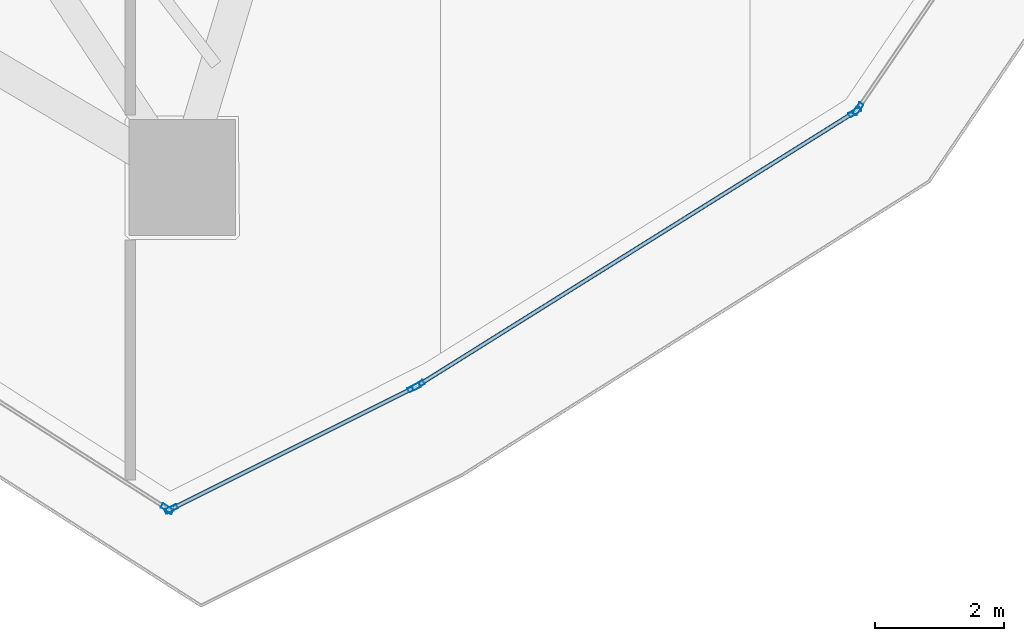
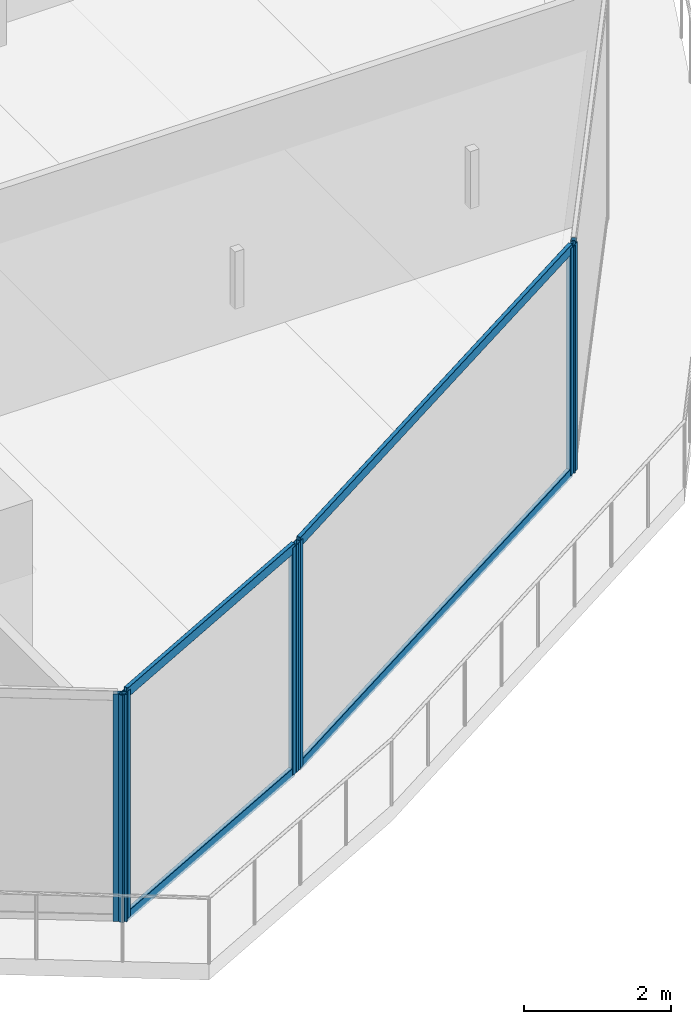
# One storey, part 10 of 36: 10 members, 4 elements without a shape of their own.
"""IFC4 building model written with IfcOpenShell, lengths in metres."""

from ifc_helpers import new_model, si_unit, direction, frame, origin, origin_2d, place, context, subcontext, project, spatial, hollow_rectangle, extrude, material, layer, layer_set, material_profile, profile_set, type_object, element, aggregate, save


model = new_model("IFC4")

# Units and contexts
model_context = context("Model", 3, precision=1e-05, world=origin(), true_north=direction((0.0, 1.0)))
body_context = subcontext(model_context, "Body", "Model", "MODEL_VIEW")
ifc_project = project(units=[si_unit("LENGTHUNIT", "METRE"), si_unit("AREAUNIT", "SQUARE_METRE"), si_unit("VOLUMEUNIT", "CUBIC_METRE"), si_unit("PLANEANGLEUNIT", "RADIAN"), si_unit("MASSUNIT", "GRAM", prefix="KILO")], contexts=[model_context])

# Site, building, storey
site_placement = place(None, origin())
site = spatial("IfcSite", under=ifc_project, at=site_placement, CompositionType="ELEMENT")
building_placement = place(site_placement, origin())
building = spatial("IfcBuilding", under=site, at=building_placement, Name="Qorvath Tower", CompositionType="ELEMENT")
storey_placement = place(building_placement, frame((0.0, 0.0, 229.35009765625)))
storey = spatial("IfcBuildingStorey", under=building, at=storey_placement, Name="L53", CompositionType="ELEMENT", Elevation=229.35009765625)

# Curtain wall, member
ifc_material_1 = material(Name="Anodised aluminium and triple low-E glass", Category="aluminium")
ifc_layer = layer(ifc_material_1, 0.179931640625)
ifc_layer_set = layer_set([ifc_layer], Name="CW-SYS-5")
curtain_wall_type = type_object("IfcCurtainWallType", Name="CW-SYS-5", PredefinedType="NOTDEFINED", material=ifc_layer_set)
curtain_wall_1_placement = place(storey_placement, origin())
curtain_wall_1 = element("IfcCurtainWall", 1, at=curtain_wall_1_placement, inside=storey, type_object=curtain_wall_type, Name="Curtain Wall CW-5 CW-T-L53-4.1", PredefinedType="NOTDEFINED")
ifc_material_2 = material(Name="Anodised aluminium 6063-T6", Category="aluminium")
ifc_material_profile_1 = material_profile(ifc_material_2, hollow_rectangle(XDim=0.074951171875, YDim=0.199951171875, WallThickness=0.00390625, InnerFilletRadius=0.00390625, OuterFilletRadius=0.008056640625, at=origin_2d()), Name="CWM 200x75")
ifc_profile_set_1 = profile_set([ifc_material_profile_1], Name="Anodised aluminium 6063-T6")
member_type_1 = type_object("IfcMemberType", Name="CWM-200", PredefinedType="MULLION", material=ifc_profile_set_1)
member_1_placement = place(storey_placement, frame((-17.106689453125, -26.754638671875, 0.0), z_axis=(0.0, 0.0, 1.0), x_axis=(0.538529366974, 0.84260674155, 0.0)))
member_1 = element("IfcMember", 2, at=member_1_placement, type_object=member_type_1, Name="CW-5 mullion 8", PredefinedType="MULLION", context=body_context, shape_type="SweptSolid", body=[
    extrude(hollow_rectangle(XDim=0.074951171875, YDim=0.199951171875, WallThickness=0.00390625, InnerFilletRadius=0.00390625, OuterFilletRadius=0.008056640625, at=origin_2d()), origin(), (0.0, 0.0, 1.0), 3.77978515625),
])
aggregate(curtain_wall_1, [member_1])

# Curtain wall, members
curtain_wall_2_placement = place(storey_placement, origin())
curtain_wall_2 = element("IfcCurtainWall", 3, at=curtain_wall_2_placement, inside=storey, type_object=curtain_wall_type, Name="Curtain Wall CW-5 CW-T-L53-5.1", PredefinedType="NOTDEFINED")
member_2_placement = place(storey_placement, frame((-17.04150390625, -26.758056640625, 0.0), z_axis=(0.0, 0.0, 1.0), x_axis=(-0.447232302186, 0.894417837412, 0.0)))
member_2 = element("IfcMember", 4, at=member_2_placement, type_object=member_type_1, Name="CW-5 mullion 1", PredefinedType="MULLION", context=body_context, shape_type="SweptSolid", body=[
    extrude(hollow_rectangle(XDim=0.074951171875, YDim=0.199951171875, WallThickness=0.00390625, InnerFilletRadius=0.00390625, OuterFilletRadius=0.008056640625, at=origin_2d()), origin(), (0.0, 0.0, 1.0), 3.77978515625),
])
member_3_placement = place(storey_placement, frame((-13.283447265625, -24.879150390625, 0.0), z_axis=(0.0, 0.0, 1.0), x_axis=(-0.447232302186, 0.894417837412, 0.0)))
member_3 = element("IfcMember", 5, at=member_3_placement, type_object=member_type_1, Name="CW-5 mullion 2", PredefinedType="MULLION", context=body_context, shape_type="SweptSolid", body=[
    extrude(hollow_rectangle(XDim=0.074951171875, YDim=0.199951171875, WallThickness=0.00390625, InnerFilletRadius=0.00390625, OuterFilletRadius=0.008056640625, at=origin_2d()), origin(), (0.0, 0.0, 1.0), 3.77978515625),
])

curtain_wall_3_placement = place(storey_placement, origin())
curtain_wall_3 = element("IfcCurtainWall", 6, at=curtain_wall_3_placement, inside=storey, type_object=curtain_wall_type, Name="Curtain Wall CW-5 CW-T-L53-6.1", PredefinedType="NOTDEFINED")
member_4_placement = place(storey_placement, frame((-13.21826171875, -24.84228515625, 0.0), z_axis=(0.0, 0.0, 1.0), x_axis=(-0.530545314822, 0.84765657487, 0.0)))
member_4 = element("IfcMember", 7, at=member_4_placement, type_object=member_type_1, Name="CW-5 mullion 1", PredefinedType="MULLION", context=body_context, shape_type="SweptSolid", body=[
    extrude(hollow_rectangle(XDim=0.074951171875, YDim=0.199951171875, WallThickness=0.00390625, InnerFilletRadius=0.00390625, OuterFilletRadius=0.008056640625, at=origin_2d()), origin(), (0.0, 0.0, 1.0), 3.77978515625),
])
member_5_placement = place(storey_placement, frame((-6.4638671875, -20.614990234375, 0.0), z_axis=(0.0, 0.0, 1.0), x_axis=(-0.530545314822, 0.84765657487, 0.0)))
member_5 = element("IfcMember", 8, at=member_5_placement, type_object=member_type_1, Name="CW-5 mullion 2", PredefinedType="MULLION", context=body_context, shape_type="SweptSolid", body=[
    extrude(hollow_rectangle(XDim=0.074951171875, YDim=0.199951171875, WallThickness=0.00390625, InnerFilletRadius=0.00390625, OuterFilletRadius=0.008056640625, at=origin_2d()), origin(), (0.0, 0.0, 1.0), 3.77978515625),
])

# Curtain wall, member
curtain_wall_4_placement = place(storey_placement, origin())
curtain_wall_4 = element("IfcCurtainWall", 9, at=curtain_wall_4_placement, inside=storey, type_object=curtain_wall_type, Name="Curtain Wall CW-5 CW-T-L53-7.1", PredefinedType="NOTDEFINED")
member_6_placement = place(storey_placement, frame((-6.410888671875, -20.56396484375, 0.0), z_axis=(0.0, 0.0, 1.0), x_axis=(-0.826490619847, 0.56295049099, 0.0)))
member_6 = element("IfcMember", 10, at=member_6_placement, type_object=member_type_1, Name="CW-5 mullion 1", PredefinedType="MULLION", context=body_context, shape_type="SweptSolid", body=[
    extrude(hollow_rectangle(XDim=0.074951171875, YDim=0.199951171875, WallThickness=0.00390625, InnerFilletRadius=0.00390625, OuterFilletRadius=0.008056640625, at=origin_2d()), origin(), (0.0, 0.0, 1.0), 3.77978515625),
])
aggregate(curtain_wall_4, [member_6])

# Member
ifc_material_3 = material(Name="Anodised aluminium 6063-T6", Category="aluminium")
ifc_material_profile_2 = material_profile(ifc_material_3, hollow_rectangle(XDim=0.06494140625, YDim=0.159912109375, WallThickness=0.00341796875, InnerFilletRadius=0.00341796875, OuterFilletRadius=0.007080078125, at=origin_2d()), Name="CWT 160x65")
ifc_profile_set_2 = profile_set([ifc_material_profile_2], Name="Anodised aluminium 6063-T6")
member_type_2 = type_object("IfcMemberType", Name="CWT-160", PredefinedType="USERDEFINED", material=ifc_profile_set_2)
member_7_placement = place(storey_placement, frame((-17.0078125, -26.741455078125, 0.032470703125), z_axis=(0.894391689405, 0.447284591645, 0.0), x_axis=(-0.447284591645, 0.894391689405, 0.0)))
member_7 = element("IfcMember", 11, at=member_7_placement, type_object=member_type_2, Name="CW-5 transom 1.1", ObjectType="TRANSOM", PredefinedType="USERDEFINED", context=body_context, shape_type="SweptSolid", body=[
    extrude(hollow_rectangle(XDim=0.06494140625, YDim=0.159912109375, WallThickness=0.00341796875, InnerFilletRadius=0.00341796875, OuterFilletRadius=0.007080078125, at=origin_2d()), origin(), (0.0, 0.0, 1.0), 4.12646484375),
])

member_8_placement = place(storey_placement, frame((-17.0078125, -26.741455078125, 3.747314453125), z_axis=(0.894391689405, 0.447284591645, 0.0), x_axis=(-0.447284591645, 0.894391689405, 0.0)))
member_8 = element("IfcMember", 12, at=member_8_placement, type_object=member_type_2, Name="CW-5 transom 1.2", ObjectType="TRANSOM", PredefinedType="USERDEFINED", context=body_context, shape_type="SweptSolid", body=[
    extrude(hollow_rectangle(XDim=0.06494140625, YDim=0.159912109375, WallThickness=0.00341796875, InnerFilletRadius=0.00341796875, OuterFilletRadius=0.007080078125, at=origin_2d()), origin(), (0.0, 0.0, 1.0), 4.12646484375),
])

aggregate(curtain_wall_2, [member_2, member_3, member_7, member_8])

member_9_placement = place(storey_placement, frame((-13.1865234375, -24.822509765625, 0.032470703125), z_axis=(0.847661032835, 0.530538192229, 0.0), x_axis=(-0.530538192229, 0.847661032835, 0.0)))
member_9 = element("IfcMember", 13, at=member_9_placement, type_object=member_type_2, Name="CW-5 transom 1.1", ObjectType="TRANSOM", PredefinedType="USERDEFINED", context=body_context, shape_type="SweptSolid", body=[
    extrude(hollow_rectangle(XDim=0.06494140625, YDim=0.159912109375, WallThickness=0.00341796875, InnerFilletRadius=0.00341796875, OuterFilletRadius=0.007080078125, at=origin_2d()), origin(), (0.0, 0.0, 1.0), 7.893310546875),
])

member_10_placement = place(storey_placement, frame((-13.1865234375, -24.822509765625, 3.747314453125), z_axis=(0.847661032835, 0.530538192229, 0.0), x_axis=(-0.530538192229, 0.847661032835, 0.0)))
member_10 = element("IfcMember", 14, at=member_10_placement, type_object=member_type_2, Name="CW-5 transom 1.2", ObjectType="TRANSOM", PredefinedType="USERDEFINED", context=body_context, shape_type="SweptSolid", body=[
    extrude(hollow_rectangle(XDim=0.06494140625, YDim=0.159912109375, WallThickness=0.00341796875, InnerFilletRadius=0.00341796875, OuterFilletRadius=0.007080078125, at=origin_2d()), origin(), (0.0, 0.0, 1.0), 7.893310546875),
])

aggregate(curtain_wall_3, [member_4, member_5, member_9, member_10])

save(model, "model.ifc")
